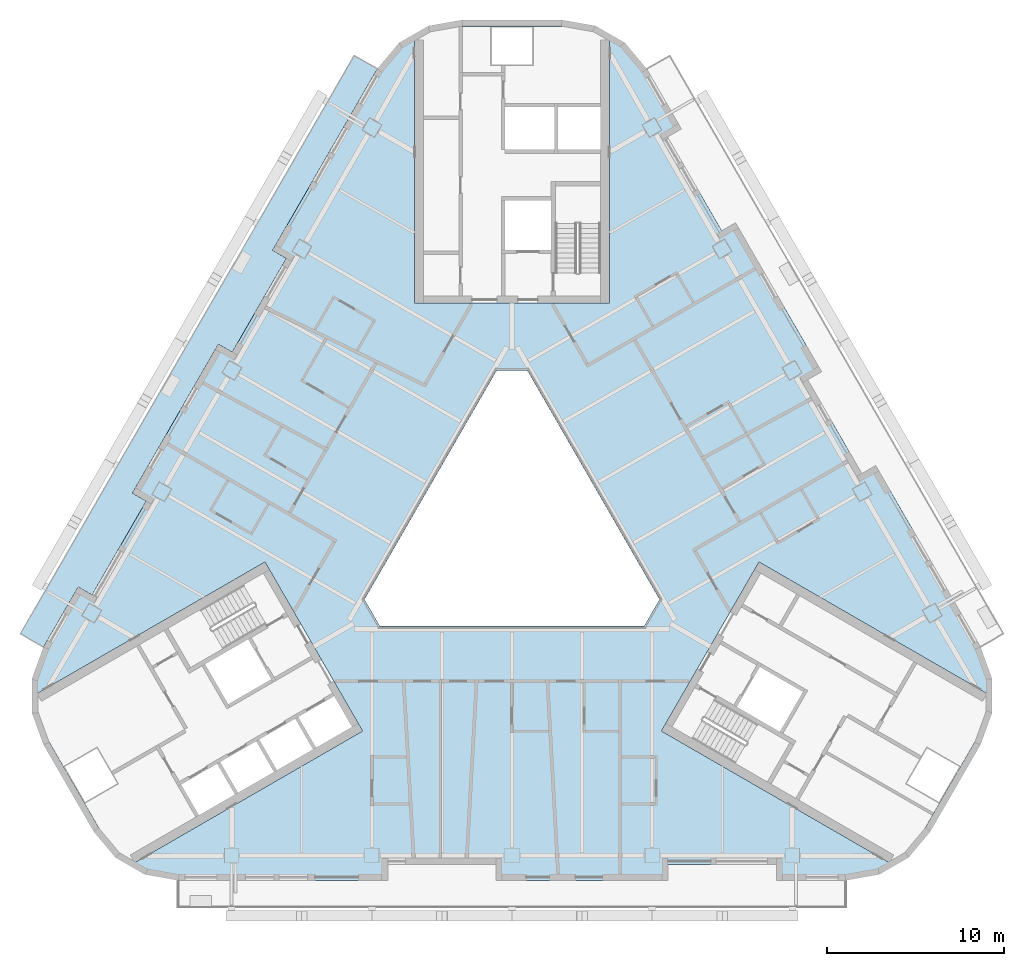
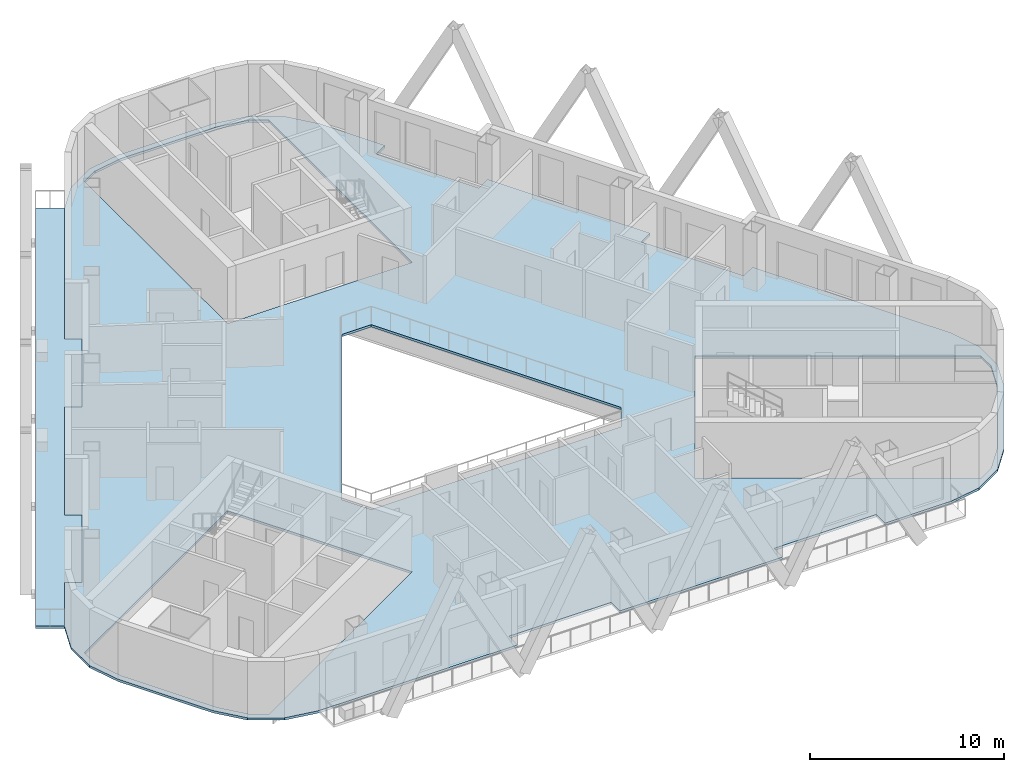
# One storey, part 3 of 17: 2 slabs.
"""IFC4 building model written with IfcOpenShell, lengths in metres."""

from ifc_helpers import new_model, si_unit, direction, frame, origin, place, context, subcontext, project, spatial, polyline, outline, extrude, material, layer, layer_set, type_object, element, save


model = new_model("IFC4")

# Units and contexts
model_context = context("Model", 3, precision=1e-05, world=origin(), true_north=direction((0.0, 1.0)))
body_context = subcontext(model_context, "Body", "Model", "MODEL_VIEW")
ifc_project = project(units=[si_unit("LENGTHUNIT", "METRE"), si_unit("AREAUNIT", "SQUARE_METRE"), si_unit("VOLUMEUNIT", "CUBIC_METRE"), si_unit("PLANEANGLEUNIT", "RADIAN"), si_unit("MASSUNIT", "GRAM", prefix="KILO")], contexts=[model_context])

# Site, building, storey
site_placement = place(None, origin())
site = spatial("IfcSite", under=ifc_project, at=site_placement, CompositionType="ELEMENT")
building_placement = place(site_placement, origin())
building = spatial("IfcBuilding", under=site, at=building_placement, Name="Apuvela Tower Hotel", CompositionType="ELEMENT")
storey_placement = place(building_placement, frame((0.0, 0.0, 146.60009765625)))
storey = spatial("IfcBuildingStorey", under=building, at=storey_placement, Name="L34", CompositionType="ELEMENT", Elevation=146.60009765625)

# Slabs
ifc_material_1 = material(Name="Concrete C40/50, fair-faced", Category="concrete")
ifc_layer_1 = layer(ifc_material_1, 0.14990234375)
ifc_layer_set_1 = layer_set([ifc_layer_1], Name="ENV-BALCONY-150")
slab_type_1 = type_object("IfcSlabType", Name="ENV-BALCONY-150", PredefinedType="FLOOR", material=ifc_layer_set_1)
slab_1_placement = place(storey_placement, frame((0.0, 0.0, -0.150146484375)))
element("IfcSlab", 1, at=slab_1_placement, inside=storey, type_object=slab_type_1, Name="Balcony slab NW L34", PredefinedType="FLOOR", context=body_context, shape_type="SweptSolid", body=[
    extrude(outline(polyline([(-27.7138671875, -5.731689453125), (-8.89306640625, 26.86669921875), (-7.585205078125, 26.11181640625), (-13.4931640625, 15.87890625), (-12.7138671875, 15.428955078125), (-15.768798828125, 10.1376953125), (-16.548095703125, 10.587646484375), (-21.393310546875, 2.19580078125), (-20.61376953125, 1.745849609375), (-23.668701171875, -3.545654296875), (-24.4482421875, -3.095703125), (-26.40625, -6.48681640625), (-27.7138671875, -5.731689453125)])), origin(), (0.0, 0.0, 1.0), 0.150146484375),
])
ifc_material_2 = material(Name="Concrete C35/45", Category="concrete")
ifc_layer_2 = layer(ifc_material_2, 0.14990234375)
ifc_layer_set_2 = layer_set([ifc_layer_2], Name="STR-SLAB 150 floor Concrete C35/45")
slab_type_2 = type_object("IfcSlabType", Name="STR-SLAB 150 floor Concrete C35/45", PredefinedType="FLOOR", material=ifc_layer_set_2)
slab_2_placement = place(storey_placement, frame((0.0, 0.0, -0.150146484375)))
element("IfcSlab", 2, at=slab_2_placement, inside=storey, type_object=slab_type_2, Name="Floor slab S4 L34", PredefinedType="FLOOR", context=body_context, shape_type="SweptSolid", body=[
    extrude(outline(polyline([(-6.3642578125, 27.5732421875), (-4.710205078125, 28.5283203125), (-2.8291015625, 28.860107421875), (2.8291015625, 28.860107421875), (4.710205078125, 28.5283203125), (6.3642578125, 27.5732421875), (7.59228515625, 26.110107421875), (9.550048828125, 22.71875), (8.770751953125, 22.268798828125), (11.82080078125, 16.986083984375), (12.60009765625, 17.43603515625), (17.4501953125, 9.035400390625), (16.670654296875, 8.58544921875), (19.720703125, 3.302734375), (20.5, 3.752685546875), (26.407958984375, -6.47998046875), (27.061279296875, -8.27490234375), (27.061279296875, -10.18505859375), (26.407958984375, -11.97998046875), (23.5791015625, -16.8798828125), (22.351318359375, -18.34326171875), (20.697021484375, -19.29833984375), (18.81591796875, -19.6298828125), (14.89990234375, -19.6298828125), (14.89990234375, -18.72998046875), (8.800048828125, -18.72998046875), (8.800048828125, -19.6298828125), (-0.89990234375, -19.6298828125), (-0.89990234375, -18.72998046875), (-7.0, -18.72998046875), (-7.0, -19.6298828125), (-18.81591796875, -19.6298828125), (-20.697021484375, -19.29833984375), (-22.351318359375, -18.34326171875), (-23.5791015625, -16.8798828125), (-26.407958984375, -11.97998046875), (-27.061279296875, -10.18505859375), (-27.061279296875, -8.27490234375), (-26.407958984375, -6.47998046875), (-24.4501953125, -3.088623046875), (-23.670654296875, -3.538818359375), (-20.62060546875, 1.743896484375), (-21.400146484375, 2.194091796875), (-16.550048828125, 10.594482421875), (-15.7705078125, 10.14453125), (-12.720703125, 15.42724609375), (-13.5, 15.877197265625), (-7.59228515625, 26.110107421875), (-6.3642578125, 27.5732421875)]), holes=[polyline([(0.865966796875, 9.10009765625), (-0.865966796875, 9.10009765625), (-8.313720703125, -3.800048828125), (-7.44775390625, -5.300048828125), (7.44775390625, -5.300048828125), (8.313720703125, -3.800048828125), (0.865966796875, 9.10009765625)]), polyline([(-5.5, 12.89990234375), (-5.5, 27.668212890625), (-4.588623046875, 28.1943359375), (-2.85498046875, 28.5), (2.85498046875, 28.5), (4.588623046875, 28.1943359375), (5.5, 27.668212890625), (5.5, 12.89990234375), (-5.5, 12.89990234375)]), polyline([(-8.421630859375, -11.213134765625), (-21.211181640625, -18.59716796875), (-22.122802734375, -18.071044921875), (-23.254150390625, -16.72265625), (-26.109375, -11.77734375), (-26.711181640625, -10.123291015625), (-26.711181640625, -9.07080078125), (-13.921630859375, -1.68701171875), (-8.421630859375, -11.213134765625)]), polyline([(13.921630859375, -1.68701171875), (26.711181640625, -9.07080078125), (26.711181640625, -10.123291015625), (26.109375, -11.77734375), (23.254150390625, -16.72265625), (22.122802734375, -18.071044921875), (21.211181640625, -18.59716796875), (8.421630859375, -11.213134765625), (13.921630859375, -1.68701171875)])]), origin(), (0.0, 0.0, 1.0), 0.150146484375),
])

save(model, "model.ifc")
